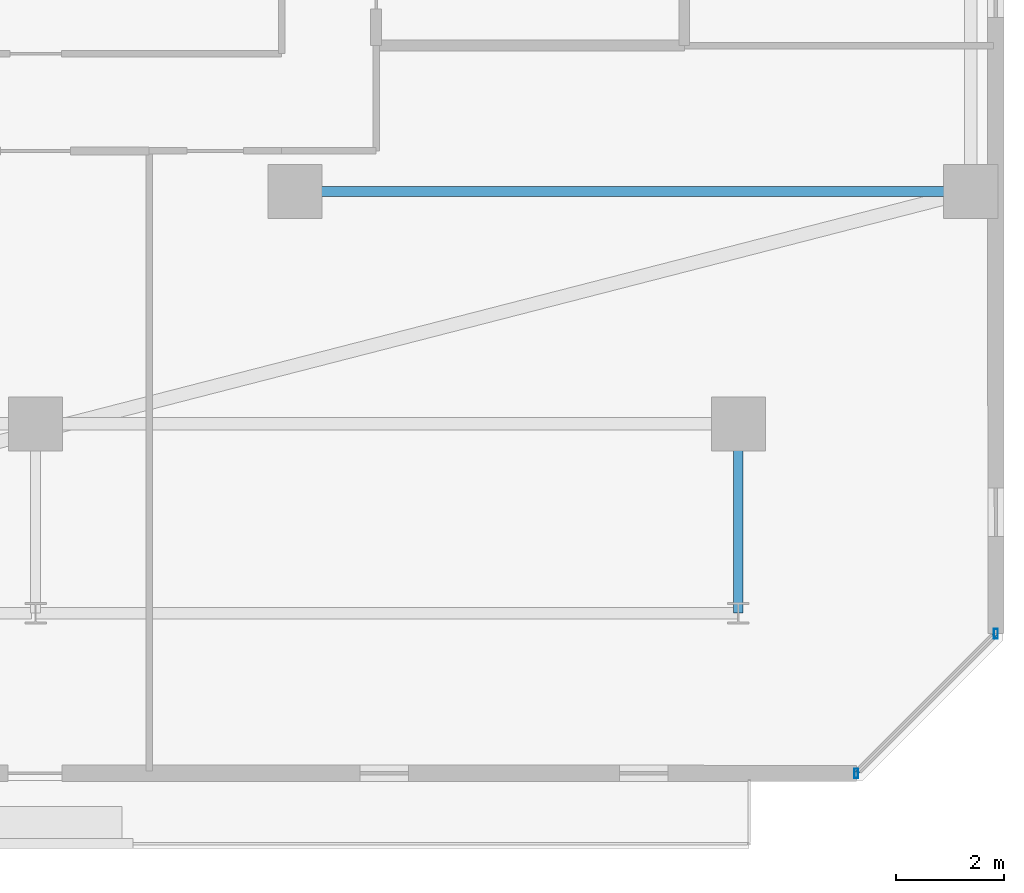
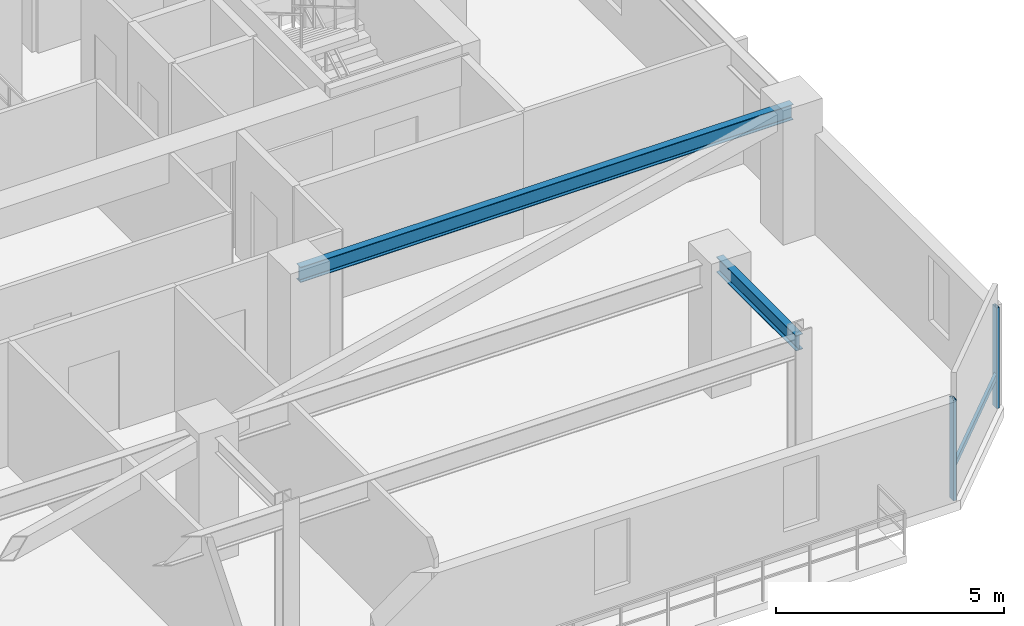
# One storey, part 13 of 33: 3 members, 2 beams, 1 element without a shape of its own.
"""IFC4 building model written with IfcOpenShell, lengths in metres."""

from ifc_helpers import new_model, si_unit, direction, frame, origin, origin_2d, place, context, subcontext, project, spatial, hollow_rectangle, i_section, extrude, material, material_profile, profile_set, type_object, element, aggregate, save


model = new_model("IFC4")

# Units and contexts
model_context = context("Model", 3, precision=1e-05, world=origin(), true_north=direction((0.0, 1.0)))
body_context = subcontext(model_context, "Body", "Model", "MODEL_VIEW")
ifc_project = project(units=[si_unit("LENGTHUNIT", "METRE"), si_unit("AREAUNIT", "SQUARE_METRE"), si_unit("VOLUMEUNIT", "CUBIC_METRE"), si_unit("PLANEANGLEUNIT", "RADIAN"), si_unit("MASSUNIT", "GRAM", prefix="KILO")], contexts=[model_context])

# Site, building, storey
site_placement = place(None, origin())
site = spatial("IfcSite", under=ifc_project, at=site_placement, CompositionType="ELEMENT")
building_placement = place(site_placement, origin())
building = spatial("IfcBuilding", under=site, at=building_placement, Name="Thornwick Lancets Civic Towers", CompositionType="ELEMENT")
storey_placement = place(building_placement, frame((0.0, 0.0, 203.699951171875)))
storey = spatial("IfcBuildingStorey", under=building, at=storey_placement, Name="L54", CompositionType="ELEMENT", Elevation=203.699951171875)

# Beams
ifc_material_1 = material(Name="Steel S355JR", Category="steel")
ifc_material_profile_1 = material_profile(ifc_material_1, i_section(OverallWidth=0.179443359375, OverallDepth=0.412841796875, WebThickness=0.009521484375, FlangeThickness=0.01611328125, FilletRadius=0.01025390625, at=origin_2d()), Name="UKB 406x178x74")
ifc_profile_set_1 = profile_set([ifc_material_profile_1], Name="Steel S355JR")
beam_type = type_object("IfcBeamType", Name="BM_JOIST_406_74", PredefinedType="JOIST", material=ifc_profile_set_1)
beam_1_placement = place(storey_placement, frame((93.300048828125, 14.0, 3.153564453125), z_axis=(1.0, 0.0, 0.0), x_axis=(0.0, 1.0, 0.0)))
element("IfcBeam", 1, at=beam_1_placement, inside=storey, type_object=beam_type, Name="BM-RADIN-L54-B01", PredefinedType="JOIST", context=body_context, shape_type="SweptSolid", body=[
    extrude(i_section(OverallWidth=0.179443359375, OverallDepth=0.412841796875, WebThickness=0.009521484375, FlangeThickness=0.01611328125, FilletRadius=0.01025390625, at=origin_2d()), origin(), (0.0, 0.0, 1.0), 12.5),
])
beam_2_placement = place(storey_placement, frame((101.5, 9.699951171875, 3.153564453125), z_axis=(0.0, -1.0, 0.0), x_axis=(1.0, 0.0, 0.0)))
element("IfcBeam", 2, at=beam_2_placement, inside=storey, type_object=beam_type, Name="BM-RAD-L54-B10", PredefinedType="JOIST", context=body_context, shape_type="SweptSolid", body=[
    extrude(i_section(OverallWidth=0.179443359375, OverallDepth=0.412841796875, WebThickness=0.009521484375, FlangeThickness=0.01611328125, FilletRadius=0.01025390625, at=origin_2d()), origin(), (0.0, 0.0, 1.0), 3.5),
])

# Curtain wall, members
ifc_material_2 = material(Name="High-zone chamfered-corner unitised glass curtain wall", Category="glass")
curtain_wall_type = type_object("IfcCurtainWallType", Name="CW_SYS_05", PredefinedType="NOTDEFINED", material=ifc_material_2)
curtain_wall_placement = place(storey_placement, origin())
curtain_wall = element("IfcCurtainWall", 3, at=curtain_wall_placement, inside=storey, type_object=curtain_wall_type, Name="L54 Curtain Wall CW-L54-B-E1", PredefinedType="NOTDEFINED")
ifc_material_3 = material(Name="Thermally broken bronze aluminium S355", Category="steel")
ifc_material_profile_2 = material_profile(ifc_material_3, hollow_rectangle(XDim=0.074951171875, YDim=0.179931640625, WallThickness=0.006103515625, at=origin_2d()), Name="RHS 180x75x6")
ifc_profile_set_2 = profile_set([ifc_material_profile_2], Name="Thermally broken bronze aluminium S355")
member_type_1 = type_object("IfcMemberType", Name="CW_MUL_180", PredefinedType="MULLION", material=ifc_profile_set_2)
member_1_placement = place(storey_placement, frame((103.681396484375, 3.2353515625, 0.0), z_axis=(0.0, 0.0, 1.0), x_axis=(1.0, 0.0, 0.0)))
member_1 = element("IfcMember", 4, at=member_1_placement, type_object=member_type_1, Name="CW-L54-B-E1 Mullion 0", PredefinedType="MULLION", context=body_context, shape_type="SweptSolid", body=[
    extrude(hollow_rectangle(XDim=0.074951171875, YDim=0.179931640625, WallThickness=0.006103515625, at=origin_2d()), origin(), (0.0, 0.0, 1.0), 2.699951171875),
])
member_2_placement = place(storey_placement, frame((106.2646484375, 5.818603515625, 0.0), z_axis=(0.0, 0.0, 1.0), x_axis=(1.0, 0.0, 0.0)))
member_2 = element("IfcMember", 5, at=member_2_placement, type_object=member_type_1, Name="CW-L54-B-E1 Mullion 1", PredefinedType="MULLION", context=body_context, shape_type="SweptSolid", body=[
    extrude(hollow_rectangle(XDim=0.074951171875, YDim=0.179931640625, WallThickness=0.006103515625, at=origin_2d()), origin(), (0.0, 0.0, 1.0), 2.699951171875),
])
ifc_material_profile_3 = material_profile(ifc_material_3, hollow_rectangle(XDim=0.074951171875, YDim=0.14990234375, WallThickness=0.0048828125, at=origin_2d()), Name="RHS 150x75x5")
ifc_profile_set_3 = profile_set([ifc_material_profile_3], Name="Thermally broken bronze aluminium S355")
member_type_2 = type_object("IfcMemberType", Name="CW_TRN_150", PredefinedType="USERDEFINED", material=ifc_profile_set_3)
member_3_placement = place(storey_placement, frame((103.695556640625, 3.24951171875, 0.85009765625), z_axis=(0.707106781187, 0.707106781187, 0.0), x_axis=(-0.707106781187, 0.707106781187, 0.0)))
member_3 = element("IfcMember", 6, at=member_3_placement, type_object=member_type_2, Name="CW-L54-B-E1 Transom 0", ObjectType="TRANSOM", PredefinedType="USERDEFINED", context=body_context, shape_type="SweptSolid", body=[
    extrude(hollow_rectangle(XDim=0.074951171875, YDim=0.14990234375, WallThickness=0.0048828125, at=origin_2d()), origin(), (0.0, 0.0, 1.0), 3.61328125),
])
aggregate(curtain_wall, [member_1, member_2, member_3])

save(model, "model.ifc")
